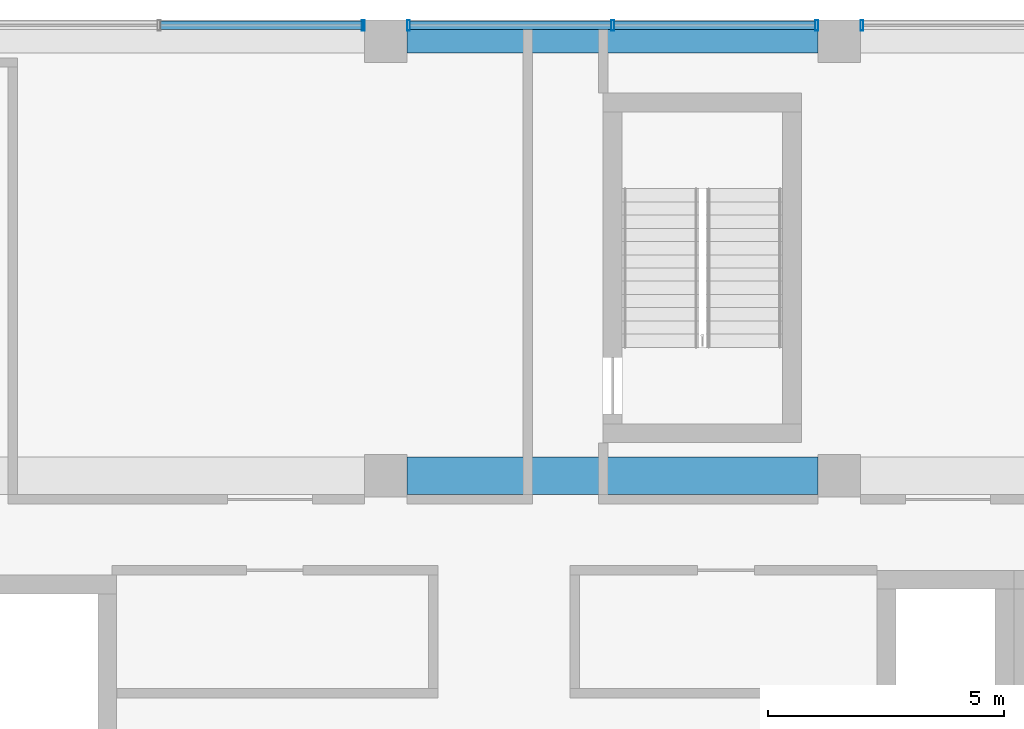
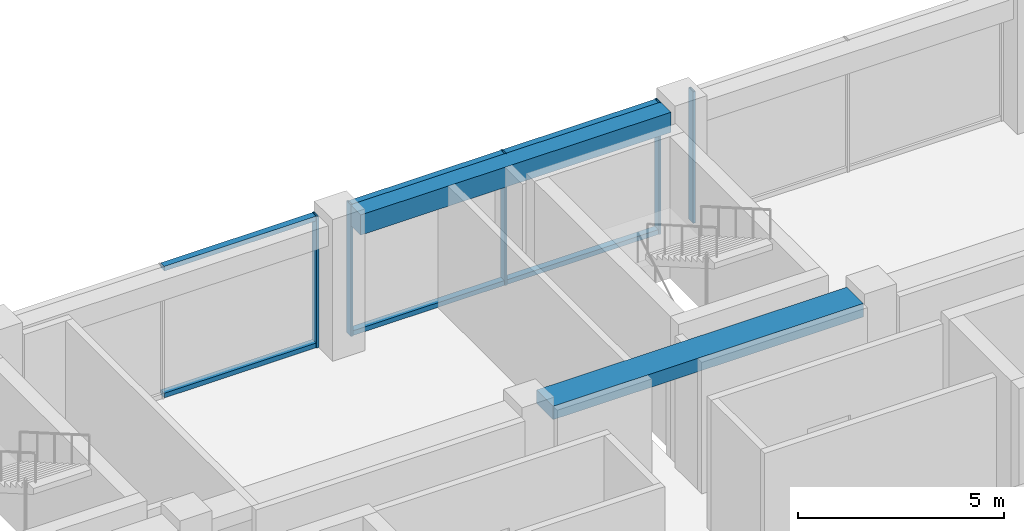
# One storey, part 22 of 37: 11 members, 2 beams, 3 elements without a shape of their own.
"""IFC4 building model written with IfcOpenShell, lengths in metres."""

import ifcopenshell
import ifcopenshell.guid

model = None  # the IFC model being written
_history = None  # IfcOwnerHistory: only IFC2X3 demands one
_inside = {}  # id of a spatial element -> (the spatial element, [elements in it])
_under = {}  # id of a project, library or spatial element -> (it, [spatial elements below it])
_declared = {}  # id of a project -> (the project, [libraries it declares])
_typed = {}  # id of a type object -> (the type object, [elements of that type])
_made_of = {}  # id of a material, layer set ... -> (it, [elements and type objects made of it])


def new_model(schema):
    """Start an empty IFC model of exactly this schema.

    Asked for "IFC4X3", IfcOpenShell would pick the latest addendum, in which some entities
    have other attributes; the version numbers below select the first issue.
    IFC2X3 requires an IfcOwnerHistory on every rooted entity: one is made here for all.
    """
    global model, _history
    if schema == "IFC4X3":
        model = ifcopenshell.file(schema_version=(4, 3, 0, 0))
    else:
        model = ifcopenshell.file(schema=schema)
    _inside.clear()
    _under.clear()
    _declared.clear()
    _typed.clear()
    _made_of.clear()
    _history = None
    if model.schema == "IFC2X3":
        org = make("IfcOrganization", Name="unknown")
        user = make(
            "IfcPersonAndOrganization",
            ThePerson=make("IfcPerson", FamilyName="unknown"),
            TheOrganization=org,
        )
        app = make(
            "IfcApplication",
            ApplicationDeveloper=org,
            Version="unknown",
            ApplicationFullName="unknown",
            ApplicationIdentifier="unknown",
        )
        _history = make(
            "IfcOwnerHistory",
            OwningUser=user,
            OwningApplication=app,
            ChangeAction="ADDED",
            CreationDate=0,
        )
    return model


def make(cls, **values):
    """One entity of the class cls with the attributes given. An attribute that is None is left unset."""
    return model.create_entity(
        cls, **{name: value for name, value in values.items() if value is not None}
    )


def rooted(cls, **values):
    """An entity with a GlobalId (a new one), such as an element, a storey or a relation."""
    return make(cls, GlobalId=ifcopenshell.guid.new(), OwnerHistory=_history, **values)


def si_unit(unit_type, name, prefix=None):
    """IfcSIUnit, for example si_unit("LENGTHUNIT", "METRE", prefix="MILLI")."""
    return make("IfcSIUnit", UnitType=unit_type, Prefix=prefix, Name=name)


def assignment(units):
    """IfcUnitAssignment: the units of a project."""
    return None if units is None else make("IfcUnitAssignment", Units=units)


def point(xyz):
    """IfcCartesianPoint."""
    return None if xyz is None else make("IfcCartesianPoint", Coordinates=xyz)


def direction(xyz):
    """IfcDirection."""
    return None if xyz is None else make("IfcDirection", DirectionRatios=xyz)


def frame(location, z_axis=None, x_axis=None):
    """IfcAxis2Placement3D, a coordinate frame: its origin and axes. An axis left out is left unset."""
    return make(
        "IfcAxis2Placement3D",
        Location=point(location),
        Axis=direction(z_axis),
        RefDirection=direction(x_axis),
    )


def frame_2d(location, x_axis=None):
    """IfcAxis2Placement2D, a coordinate frame in the plane: its origin and x axis."""
    return make(
        "IfcAxis2Placement2D", Location=point(location), RefDirection=direction(x_axis)
    )


def origin():
    """The frame at (0, 0, 0) with its axes left unset."""
    return frame((0.0, 0.0, 0.0))


def origin_2d():
    """The frame at (0, 0) in the plane with its x axis left unset."""
    return frame_2d((0.0, 0.0))


def place(relative_to, where):
    """IfcLocalPlacement: puts the frame where relative to a parent placement (None: the world)."""
    return make(
        "IfcLocalPlacement", PlacementRelTo=relative_to, RelativePlacement=where
    )


def context(
    kind, dimensions, precision=None, world=None, true_north=None, identifier=None
):
    """IfcGeometricRepresentationContext, for example the 3D "Model" context."""
    return make(
        "IfcGeometricRepresentationContext",
        ContextIdentifier=identifier,
        ContextType=kind,
        CoordinateSpaceDimension=dimensions,
        Precision=precision,
        WorldCoordinateSystem=world,
        TrueNorth=true_north,
    )


def subcontext(parent, identifier, kind, view, scale=None):
    """IfcGeometricRepresentationSubContext, for example "Body" below "Model"."""
    return make(
        "IfcGeometricRepresentationSubContext",
        ContextIdentifier=identifier,
        ContextType=kind,
        ParentContext=parent,
        TargetScale=scale,
        TargetView=view,
    )


def project(units=None, contexts=None):
    """IfcProject with its units and contexts."""
    return rooted(
        "IfcProject",
        Name="project",
        RepresentationContexts=contexts,
        UnitsInContext=assignment(units),
    )


def spatial(cls, under=None, at=None, **own):
    """A site, building, storey or space (cls), placed at a placement, below another one or the project."""
    s = rooted(cls, ObjectPlacement=at, **own)
    if under is not None:
        _under.setdefault(under.id(), (under, []))[1].append(s)
    return s


def profile(cls, at=None, kind="AREA", **sizes):
    """A parametric profile (cls). Its sizes go by their IFC names, for example OverallWidth=200.0."""
    return make(cls, ProfileType=kind, Position=at, **sizes)


def rectangle(**sizes):
    """IfcRectangleProfileDef."""
    return profile("IfcRectangleProfileDef", **sizes)


def hollow_rectangle(**sizes):
    """IfcRectangleHollowProfileDef."""
    return profile("IfcRectangleHollowProfileDef", **sizes)


def extrude(swept, where, along, depth):
    """IfcExtrudedAreaSolid: the profile swept, set in the frame where, extruded along a direction by depth."""
    return make(
        "IfcExtrudedAreaSolid",
        SweptArea=swept,
        Position=where,
        ExtrudedDirection=direction(along),
        Depth=depth,
    )


def shape(context_of_items, identifier, shape_type, items):
    """IfcShapeRepresentation: the items that make up one representation, for example the "Body"."""
    return make(
        "IfcShapeRepresentation",
        ContextOfItems=context_of_items,
        RepresentationIdentifier=identifier,
        RepresentationType=shape_type,
        Items=items,
    )


def material(Name=None, Category=None):
    """IfcMaterial."""
    return make("IfcMaterial", Name=Name, Category=Category)


def layer(
    of_material, thickness, ventilated=None, Name=None, Category=None, Priority=None
):
    """IfcMaterialLayer: one layer of a wall or slab, of a material (None: an air gap)."""
    return make(
        "IfcMaterialLayer",
        Material=of_material,
        LayerThickness=thickness,
        IsVentilated=ventilated,
        Name=Name,
        Category=Category,
        Priority=Priority,
    )


def layer_set(layers, Name=None):
    """IfcMaterialLayerSet."""
    return make("IfcMaterialLayerSet", MaterialLayers=layers, LayerSetName=Name)


def material_profile(
    of_material, cross_section, Name=None, Category=None, Priority=None
):
    """IfcMaterialProfile: a cross section and its material."""
    return make(
        "IfcMaterialProfile",
        Name=Name,
        Material=of_material,
        Profile=cross_section,
        Priority=Priority,
        Category=Category,
    )


def profile_set(profiles, Name=None, composite=None):
    """IfcMaterialProfileSet."""
    return make(
        "IfcMaterialProfileSet",
        Name=Name,
        MaterialProfiles=profiles,
        CompositeProfile=composite,
    )


def made_of(thing, what):
    """Note that an element or type object is made of a material, layer set ...; save() writes the relation."""
    if what is not None:
        _made_of.setdefault(what.id(), (what, []))[1].append(thing)
    return thing


def type_object(cls, material=None, **own):
    """A type object (cls), such as IfcWallType, which elements share."""
    return made_of(rooted(cls, **own), material)


def element(
    cls,
    number,
    at=None,
    inside=None,
    cuts=None,
    type_object=None,
    material=None,
    context=None,
    identifier="Body",
    shape_type=None,
    held_by="IfcProductDefinitionShape",
    body=None,
    shapes=None,
    **own,
):
    """One element of the class cls, such as IfcWall. Its Tag is "e" and its number.

    at: its placement. inside: the storey or other place that contains it. cuts: it is an
    opening in that element (IfcRelVoidsElement). A single representation is given by context,
    identifier, shape_type and body (its items); several are given by shapes. held_by: the class
    of the entity that holds the representations. save() writes the other relations.
    """
    e = rooted(cls, Tag="e%d" % number, ObjectPlacement=at, **own)
    if body is not None:
        shapes = [shape(context, identifier, shape_type, body)]
    if shapes is not None:
        e.Representation = make(held_by, Representations=shapes)
    if inside is not None:
        _inside.setdefault(inside.id(), (inside, []))[1].append(e)
    if cuts is not None:
        rooted(
            "IfcRelVoidsElement", RelatingBuildingElement=cuts, RelatedOpeningElement=e
        )
    if type_object is not None:
        _typed.setdefault(type_object.id(), (type_object, []))[1].append(e)
    return made_of(e, material)


def aggregate(whole, parts):
    """IfcRelAggregates: a whole, such as a stair, and the parts it consists of."""
    return rooted("IfcRelAggregates", RelatingObject=whole, RelatedObjects=parts)


def save(model, path):
    """Write the relations noted so far, then the file.

    IfcRelAggregates (storeys below a building ...), IfcRelContainedInSpatialStructure (elements
    in a storey), IfcRelDefinesByType, IfcRelAssociatesMaterial and IfcRelDeclares: one each for
    every whole, place, type object, material and project.
    """
    for whole, parts in _under.values():
        aggregate(whole, parts)
    for where, things in _inside.values():
        rooted(
            "IfcRelContainedInSpatialStructure",
            RelatedElements=things,
            RelatingStructure=where,
        )
    for kind, things in _typed.values():
        rooted("IfcRelDefinesByType", RelatedObjects=things, RelatingType=kind)
    for what, things in _made_of.values():
        rooted("IfcRelAssociatesMaterial", RelatedObjects=things, RelatingMaterial=what)
    for by, libraries in _declared.values():
        rooted("IfcRelDeclares", RelatingContext=by, RelatedDefinitions=libraries)
    model.write(path)


model = new_model("IFC4")

# Units and contexts
model_context = context("Model", 3, precision=1e-05, world=origin(), true_north=direction((0.0, 1.0)))
body_context = subcontext(model_context, "Body", "Model", "MODEL_VIEW")
ifc_project = project(units=[si_unit("LENGTHUNIT", "METRE"), si_unit("AREAUNIT", "SQUARE_METRE"), si_unit("VOLUMEUNIT", "CUBIC_METRE"), si_unit("PLANEANGLEUNIT", "RADIAN"), si_unit("MASSUNIT", "GRAM", prefix="KILO")], contexts=[model_context])

# Site, building, storey
site_placement = place(None, origin())
site = spatial("IfcSite", under=ifc_project, at=site_placement, CompositionType="ELEMENT")
building_placement = place(site_placement, origin())
building = spatial("IfcBuilding", under=site, at=building_placement, Name="Nzadi Deep Aquarium and Research Tower", CompositionType="ELEMENT")
storey_placement = place(building_placement, frame((0.0, 0.0, 57.10009765625)))
storey = spatial("IfcBuildingStorey", under=building, at=storey_placement, Name="L11", CompositionType="ELEMENT", Elevation=57.10009765625)

# Curtain wall, member
ifc_material_1 = material(Name="Aluminium unitised frame deep", Category="aluminium")
ifc_layer = layer(ifc_material_1, 0.22509765625)
ifc_layer_set = layer_set([ifc_layer], Name="Aluminium unitised frame deep")
curtain_wall_type = type_object("IfcCurtainWallType", Name="Curtain wall Unitised Deep 225", PredefinedType="NOTDEFINED", material=ifc_layer_set)
curtain_wall_1_placement = place(storey_placement, origin())
curtain_wall_1 = element("IfcCurtainWall", 1, at=curtain_wall_1_placement, inside=storey, type_object=curtain_wall_type, Name="Unitised curtain wall blade B north L11", PredefinedType="NOTDEFINED")
ifc_material_2 = material(Name="Aluminium unitised frame deep", Category="aluminium")
ifc_material_profile_1 = material_profile(ifc_material_2, hollow_rectangle(XDim=0.22509765625, YDim=0.06005859375, WallThickness=0.0048828125, at=origin_2d()))
ifc_profile_set_1 = profile_set([ifc_material_profile_1], Name="Aluminium unitised frame deep")
member_type_1 = type_object("IfcMemberType", Name="Mullion 60x225 Unitised Deep", PredefinedType="MULLION", material=ifc_profile_set_1)
member_1_placement = place(storey_placement, frame((18.719970703125, 46.33740234375, 0.0), z_axis=(0.0, 0.0, 1.0), x_axis=(0.0, 1.0, 0.0)))
member_1 = element("IfcMember", 2, at=member_1_placement, type_object=member_type_1, Name="CW147 mullion 3", PredefinedType="MULLION", context=body_context, shape_type="SweptSolid", body=[
    extrude(hollow_rectangle(XDim=0.22509765625, YDim=0.06005859375, WallThickness=0.0048828125, at=origin_2d()), origin(), (0.0, 0.0, 1.0), 3.89990234375),
])

# Curtain wall, members
curtain_wall_2_placement = place(storey_placement, origin())
curtain_wall_2 = element("IfcCurtainWall", 3, at=curtain_wall_2_placement, inside=storey, type_object=curtain_wall_type, Name="Unitised curtain wall blade B north L11", PredefinedType="NOTDEFINED")
member_2_placement = place(storey_placement, frame((19.679931640625, 46.33740234375, 0.0), z_axis=(0.0, 0.0, 1.0), x_axis=(0.0, 1.0, 0.0)))
member_2 = element("IfcMember", 4, at=member_2_placement, type_object=member_type_1, Name="CW148 mullion 1", PredefinedType="MULLION", context=body_context, shape_type="SweptSolid", body=[
    extrude(hollow_rectangle(XDim=0.22509765625, YDim=0.06005859375, WallThickness=0.0048828125, at=origin_2d()), origin(), (0.0, 0.0, 1.0), 3.89990234375),
])
member_3_placement = place(storey_placement, frame((24.0, 46.33740234375, 0.0), z_axis=(0.0, 0.0, 1.0), x_axis=(0.0, 1.0, 0.0)))
member_3 = element("IfcMember", 5, at=member_3_placement, type_object=member_type_1, Name="CW148 mullion 2", PredefinedType="MULLION", context=body_context, shape_type="SweptSolid", body=[
    extrude(hollow_rectangle(XDim=0.22509765625, YDim=0.06005859375, WallThickness=0.0048828125, at=origin_2d()), origin(), (0.0, 0.0, 1.0), 3.89990234375),
])
member_4_placement = place(storey_placement, frame((28.320068359375, 46.33740234375, 0.0), z_axis=(0.0, 0.0, 1.0), x_axis=(0.0, 1.0, 0.0)))
member_4 = element("IfcMember", 6, at=member_4_placement, type_object=member_type_1, Name="CW148 mullion 3", PredefinedType="MULLION", context=body_context, shape_type="SweptSolid", body=[
    extrude(hollow_rectangle(XDim=0.22509765625, YDim=0.06005859375, WallThickness=0.0048828125, at=origin_2d()), origin(), (0.0, 0.0, 1.0), 3.89990234375),
])

# Curtain wall, member
curtain_wall_3_placement = place(storey_placement, origin())
curtain_wall_3 = element("IfcCurtainWall", 7, at=curtain_wall_3_placement, inside=storey, type_object=curtain_wall_type, Name="Unitised curtain wall blade B north L11", PredefinedType="NOTDEFINED")
member_5_placement = place(storey_placement, frame((29.280029296875, 46.33740234375, 0.0), z_axis=(0.0, 0.0, 1.0), x_axis=(0.0, 1.0, 0.0)))
member_5 = element("IfcMember", 8, at=member_5_placement, type_object=member_type_1, Name="CW149 mullion 1", PredefinedType="MULLION", context=body_context, shape_type="SweptSolid", body=[
    extrude(hollow_rectangle(XDim=0.22509765625, YDim=0.06005859375, WallThickness=0.0048828125, at=origin_2d()), origin(), (0.0, 0.0, 1.0), 3.89990234375),
])
aggregate(curtain_wall_3, [member_5])

# Beams
ifc_material_3 = material(Name="Concrete C35/45", Category="concrete")
ifc_material_profile_2 = material_profile(ifc_material_3, rectangle(XDim=0.5, YDim=0.60009765625, at=origin_2d()))
ifc_profile_set_2 = profile_set([ifc_material_profile_2], Name="Concrete C35/45")
beam_type_1 = type_object("IfcBeamType", Name="RC 500x600", PredefinedType="BEAM", material=ifc_profile_set_2)
beam_1_placement = place(storey_placement, frame((19.64990234375, 46.0, 3.599853515625), z_axis=(1.0, 0.0, 0.0), x_axis=(0.0, 1.0, 0.0)))
element("IfcBeam", 9, at=beam_1_placement, inside=storey, type_object=beam_type_1, Name="B-Z1-L11-L6-3", PredefinedType="BEAM", context=body_context, shape_type="SweptSolid", body=[
    extrude(rectangle(XDim=0.5, YDim=0.60009765625, at=origin_2d()), origin(), (0.0, 0.0, 1.0), 8.7001953125),
])
ifc_material_4 = material(Name="Concrete C35/45", Category="concrete")
ifc_material_profile_3 = material_profile(ifc_material_4, rectangle(XDim=0.800048828125, YDim=0.39990234375, at=origin_2d()))
ifc_profile_set_3 = profile_set([ifc_material_profile_3], Name="Concrete C35/45")
beam_type_2 = type_object("IfcBeamType", Name="RC 800x400", PredefinedType="BEAM", material=ifc_profile_set_3)
beam_2_placement = place(storey_placement, frame((19.64990234375, 36.800048828125, 3.699951171875), z_axis=(1.0, 0.0, 0.0), x_axis=(0.0, 1.0, 0.0)))
element("IfcBeam", 10, at=beam_2_placement, inside=storey, type_object=beam_type_2, Name="B-Z1-L11-L5-3", PredefinedType="BEAM", context=body_context, shape_type="SweptSolid", body=[
    extrude(rectangle(XDim=0.800048828125, YDim=0.39990234375, at=origin_2d()), origin(), (0.0, 0.0, 1.0), 8.7001953125),
])

# Member
ifc_material_5 = material(Name="Aluminium unitised frame deep", Category="aluminium")
ifc_material_profile_4 = material_profile(ifc_material_5, hollow_rectangle(XDim=0.179931640625, YDim=0.139892578125, WallThickness=0.0048828125, at=origin_2d()))
ifc_profile_set_4 = profile_set([ifc_material_profile_4], Name="Aluminium unitised frame deep")
member_type_2 = type_object("IfcMemberType", Name="Transom 140x180 Unitised Deep", PredefinedType="MULLION", material=ifc_profile_set_4)
member_6_placement = place(storey_placement, frame((14.429931640625, 46.33740234375, 0.06982421875), z_axis=(1.0, 0.0, 0.0), x_axis=(0.0, 1.0, 0.0)))
member_6 = element("IfcMember", 11, at=member_6_placement, type_object=member_type_2, Name="CW147 transom 2.1", PredefinedType="MULLION", context=body_context, shape_type="SweptSolid", body=[
    extrude(hollow_rectangle(XDim=0.179931640625, YDim=0.139892578125, WallThickness=0.0048828125, at=origin_2d()), origin(), (0.0, 0.0, 1.0), 4.260009765625),
])

member_7_placement = place(storey_placement, frame((14.429931640625, 46.33740234375, 3.829833984375), z_axis=(1.0, 0.0, 0.0), x_axis=(0.0, 1.0, 0.0)))
member_7 = element("IfcMember", 12, at=member_7_placement, type_object=member_type_2, Name="CW147 transom 2.2", PredefinedType="MULLION", context=body_context, shape_type="SweptSolid", body=[
    extrude(hollow_rectangle(XDim=0.179931640625, YDim=0.139892578125, WallThickness=0.0048828125, at=origin_2d()), origin(), (0.0, 0.0, 1.0), 4.260009765625),
])

aggregate(curtain_wall_1, [member_1, member_6, member_7])

member_8_placement = place(storey_placement, frame((19.7099609375, 46.33740234375, 0.06982421875), z_axis=(1.0, 0.0, 0.0), x_axis=(0.0, 1.0, 0.0)))
member_8 = element("IfcMember", 13, at=member_8_placement, type_object=member_type_2, Name="CW148 transom 1.1", PredefinedType="MULLION", context=body_context, shape_type="SweptSolid", body=[
    extrude(hollow_rectangle(XDim=0.179931640625, YDim=0.139892578125, WallThickness=0.0048828125, at=origin_2d()), origin(), (0.0, 0.0, 1.0), 4.260009765625),
])

member_9_placement = place(storey_placement, frame((19.7099609375, 46.33740234375, 3.829833984375), z_axis=(1.0, 0.0, 0.0), x_axis=(0.0, 1.0, 0.0)))
member_9 = element("IfcMember", 14, at=member_9_placement, type_object=member_type_2, Name="CW148 transom 1.2", PredefinedType="MULLION", context=body_context, shape_type="SweptSolid", body=[
    extrude(hollow_rectangle(XDim=0.179931640625, YDim=0.139892578125, WallThickness=0.0048828125, at=origin_2d()), origin(), (0.0, 0.0, 1.0), 4.260009765625),
])

member_10_placement = place(storey_placement, frame((24.030029296875, 46.33740234375, 0.06982421875), z_axis=(1.0, 0.0, 0.0), x_axis=(0.0, 1.0, 0.0)))
member_10 = element("IfcMember", 15, at=member_10_placement, type_object=member_type_2, Name="CW148 transom 2.1", PredefinedType="MULLION", context=body_context, shape_type="SweptSolid", body=[
    extrude(hollow_rectangle(XDim=0.179931640625, YDim=0.139892578125, WallThickness=0.0048828125, at=origin_2d()), origin(), (0.0, 0.0, 1.0), 4.260009765625),
])

member_11_placement = place(storey_placement, frame((24.030029296875, 46.33740234375, 3.829833984375), z_axis=(1.0, 0.0, 0.0), x_axis=(0.0, 1.0, 0.0)))
member_11 = element("IfcMember", 16, at=member_11_placement, type_object=member_type_2, Name="CW148 transom 2.2", PredefinedType="MULLION", context=body_context, shape_type="SweptSolid", body=[
    extrude(hollow_rectangle(XDim=0.179931640625, YDim=0.139892578125, WallThickness=0.0048828125, at=origin_2d()), origin(), (0.0, 0.0, 1.0), 4.260009765625),
])

aggregate(curtain_wall_2, [member_2, member_3, member_4, member_8, member_9, member_10, member_11])

save(model, "model.ifc")
